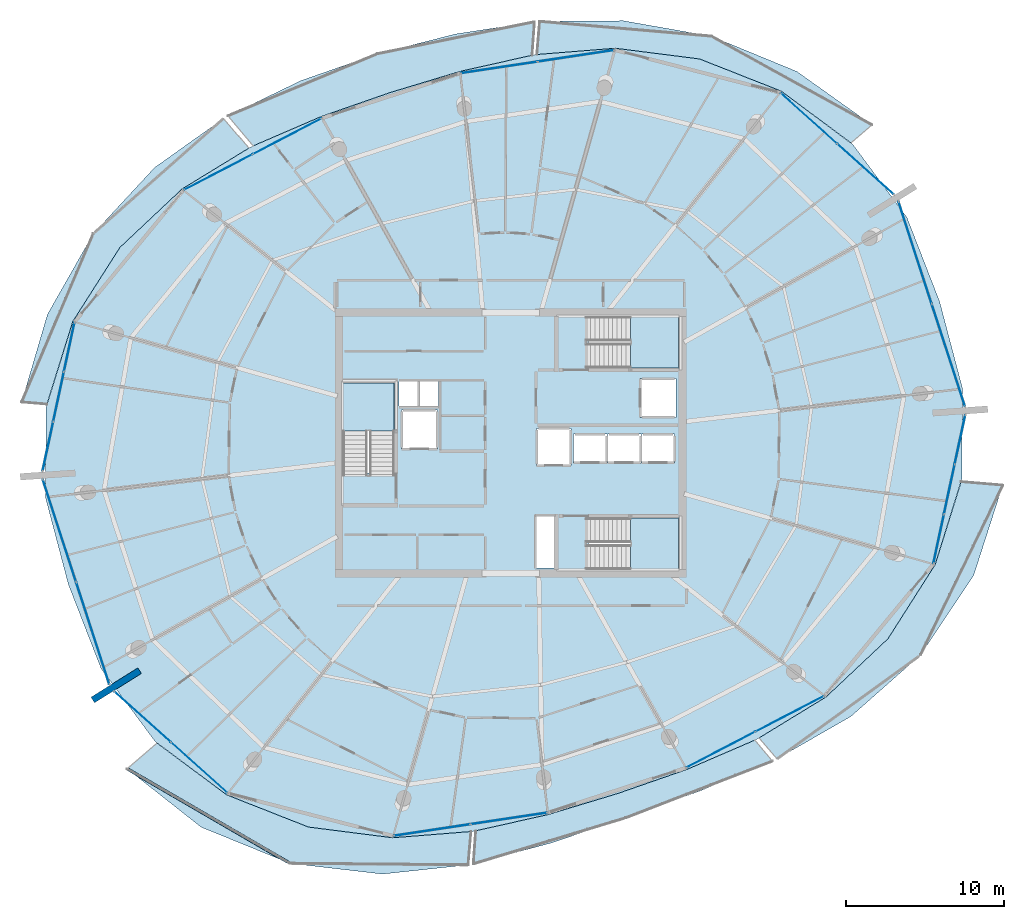
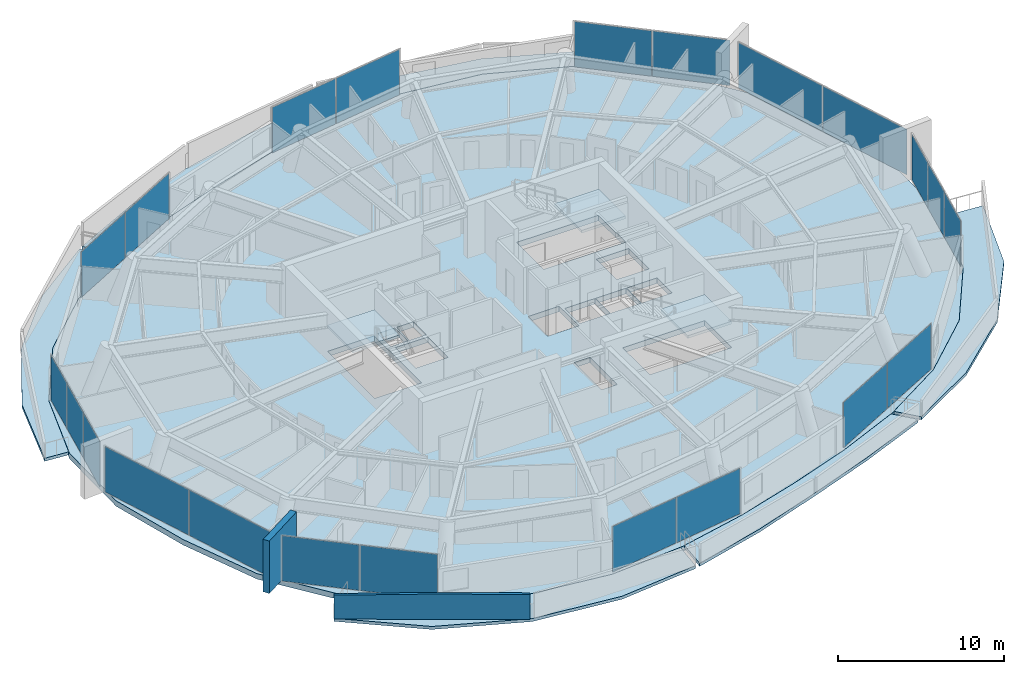
# One storey, part 15 of 27: 22 plates, 10 slabs, 2 walls, 13 elements without a shape of their own.
"""IFC4 building model written with IfcOpenShell, lengths in metres."""

from ifc_helpers import new_model, si_unit, direction, frame, frame_2d, origin, origin_2d, place, context, subcontext, project, spatial, polyline, rectangle, outline, extrude, material, layer, layer_set, type_object, element, aggregate, save


model = new_model("IFC4")

# Units and contexts
model_context = context("Model", 3, precision=1e-05, world=origin(), true_north=direction((0.0, 1.0)))
body_context = subcontext(model_context, "Body", "Model", "MODEL_VIEW")
ifc_project = project(units=[si_unit("LENGTHUNIT", "METRE"), si_unit("AREAUNIT", "SQUARE_METRE"), si_unit("VOLUMEUNIT", "CUBIC_METRE"), si_unit("PLANEANGLEUNIT", "RADIAN"), si_unit("MASSUNIT", "GRAM", prefix="KILO")], contexts=[model_context])

# Site, building, storey
site_placement = place(None, origin())
site = spatial("IfcSite", under=ifc_project, at=site_placement, CompositionType="ELEMENT")
building_placement = place(site_placement, origin())
building = spatial("IfcBuilding", under=site, at=building_placement, Name="Kazma Halo Residences", CompositionType="ELEMENT")
storey_placement = place(building_placement, frame((0.0, 0.0, 306.0)))
storey = spatial("IfcBuildingStorey", under=building, at=storey_placement, Name="L77", CompositionType="ELEMENT", Elevation=306.0)

# Curtain wall, plates
ifc_material_1 = material(Name="Aluminium AW-6063 T6 and Triple-Silver Low-E Glass", Category="aluminium")
ifc_layer_1 = layer(ifc_material_1, 0.139892578125)
ifc_layer_set_1 = layer_set([ifc_layer_1], Name="Aluminium AW-6063 T6 and Triple-Silver Low-E Glass")
curtain_wall_type = type_object("IfcCurtainWallType", Name="CW-SYS-5", PredefinedType="NOTDEFINED", material=ifc_layer_set_1)
curtain_wall_1_placement = place(storey_placement, origin())
curtain_wall_1 = element("IfcCurtainWall", 1, at=curtain_wall_1_placement, inside=storey, type_object=curtain_wall_type, Name="L77 unitised curtain wall B01", PredefinedType="NOTDEFINED")
ifc_material_2 = material(Name="Clear Triple-Silver Low-E Glass IGU", Category="glass")
ifc_layer_2 = layer(ifc_material_2, 0.02587890625)
ifc_layer_set_2 = layer_set([ifc_layer_2], Name="Clear Triple-Silver Low-E Glass IGU")
plate_type = type_object("IfcPlateType", Name="CW-SYS-5-PNL", PredefinedType="CURTAIN_PANEL", material=ifc_layer_set_2)
plate_1_placement = place(storey_placement, frame((70.87841796875, 59.328857421875, 0.06005859375), z_axis=(0.0, 0.0, 1.0), x_axis=(-0.744342494128, 0.667798061868, 0.0)))
plate_1 = element("IfcPlate", 2, at=plate_1_placement, type_object=plate_type, Name="CWS-5 panel 1.1", PredefinedType="CURTAIN_PANEL", context=body_context, shape_type="SweptSolid", body=[
    extrude(rectangle(XDim=4.755615234375, YDim=0.02587890625, at=origin_2d()), origin(), (0.0, 0.0, 1.0), 3.330078125),
])
plate_2_placement = place(storey_placement, frame((67.2939453125, 62.544677734375, 0.06005859375), z_axis=(0.0, 0.0, 1.0), x_axis=(-0.744342494128, 0.667798061868, 0.0)))
plate_2 = element("IfcPlate", 3, at=plate_2_placement, type_object=plate_type, Name="CWS-5 panel 2.1", PredefinedType="CURTAIN_PANEL", context=body_context, shape_type="SweptSolid", body=[
    extrude(rectangle(XDim=4.755615234375, YDim=0.02587890625, at=origin_2d()), origin(), (0.0, 0.0, 1.0), 3.330078125),
])
aggregate(curtain_wall_1, [plate_1, plate_2])

curtain_wall_2_placement = place(storey_placement, origin())
curtain_wall_2 = element("IfcCurtainWall", 4, at=curtain_wall_2_placement, inside=storey, type_object=curtain_wall_type, Name="L77 unitised curtain wall B03", PredefinedType="NOTDEFINED")
plate_3_placement = place(storey_placement, frame((52.55322265625, 66.49951171875, 0.06005859375), z_axis=(0.0, 0.0, 1.0), x_axis=(-0.98887517681, -0.148747721629, 0.0)))
plate_3 = element("IfcPlate", 5, at=plate_3_placement, type_object=plate_type, Name="CWS-5 panel 1.1", PredefinedType="CURTAIN_PANEL", context=body_context, shape_type="SweptSolid", body=[
    extrude(rectangle(XDim=4.856689453125, YDim=0.02587890625, at=origin_2d()), origin(), (0.0, 0.0, 1.0), 3.330078125),
])
plate_4_placement = place(storey_placement, frame((47.69140625, 65.76806640625, 0.06005859375), z_axis=(0.0, 0.0, 1.0), x_axis=(-0.98887517681, -0.148747721629, 0.0)))
plate_4 = element("IfcPlate", 6, at=plate_4_placement, type_object=plate_type, Name="CWS-5 panel 2.1", PredefinedType="CURTAIN_PANEL", context=body_context, shape_type="SweptSolid", body=[
    extrude(rectangle(XDim=4.856689453125, YDim=0.02587890625, at=origin_2d()), origin(), (0.0, 0.0, 1.0), 3.330078125),
])
aggregate(curtain_wall_2, [plate_3, plate_4])

curtain_wall_3_placement = place(storey_placement, origin())
curtain_wall_3 = element("IfcCurtainWall", 7, at=curtain_wall_3_placement, inside=storey, type_object=curtain_wall_type, Name="L77 unitised curtain wall B05", PredefinedType="NOTDEFINED")
plate_5_placement = place(storey_placement, frame((34.279052734375, 61.410400390625, 0.06005859375), z_axis=(0.0, 0.0, 1.0), x_axis=(-0.88744408064, -0.460915397592, 0.0)))
plate_5 = element("IfcPlate", 8, at=plate_5_placement, type_object=plate_type, Name="CWS-5 panel 1.1", PredefinedType="CURTAIN_PANEL", context=body_context, shape_type="SweptSolid", body=[
    extrude(rectangle(XDim=4.856689453125, YDim=0.02587890625, at=origin_2d()), origin(), (0.0, 0.0, 1.0), 3.330078125),
])
plate_6_placement = place(storey_placement, frame((29.915771484375, 59.14404296875, 0.06005859375), z_axis=(0.0, 0.0, 1.0), x_axis=(-0.88744408064, -0.460915397592, 0.0)))
plate_6 = element("IfcPlate", 9, at=plate_6_placement, type_object=plate_type, Name="CWS-5 panel 2.1", PredefinedType="CURTAIN_PANEL", context=body_context, shape_type="SweptSolid", body=[
    extrude(rectangle(XDim=4.856689453125, YDim=0.02587890625, at=origin_2d()), origin(), (0.0, 0.0, 1.0), 3.330078125),
])
aggregate(curtain_wall_3, [plate_5, plate_6])

curtain_wall_4_placement = place(storey_placement, origin())
curtain_wall_4 = element("IfcCurtainWall", 10, at=curtain_wall_4_placement, inside=storey, type_object=curtain_wall_type, Name="L77 unitised curtain wall B07", PredefinedType="NOTDEFINED")
plate_7_placement = place(storey_placement, frame((20.484375, 48.06982421875, 0.06005859375), z_axis=(0.0, 0.0, 1.0), x_axis=(-0.209676367197, -0.977770842805, 0.0)))
plate_7 = element("IfcPlate", 11, at=plate_7_placement, type_object=plate_type, Name="CWS-5 panel 1.1", PredefinedType="CURTAIN_PANEL", context=body_context, shape_type="SweptSolid", body=[
    extrude(rectangle(XDim=3.140380859375, YDim=0.02587890625, at=origin_2d()), origin(), (0.0, 0.0, 1.0), 3.330078125),
])
plate_8_placement = place(storey_placement, frame((19.810302734375, 44.926025390625, 0.06005859375), z_axis=(0.0, 0.0, 1.0), x_axis=(-0.209676367197, -0.977770842805, 0.0)))
plate_8 = element("IfcPlate", 12, at=plate_8_placement, type_object=plate_type, Name="CWS-5 panel 2.1", PredefinedType="CURTAIN_PANEL", context=body_context, shape_type="SweptSolid", body=[
    extrude(rectangle(XDim=3.17041015625, YDim=0.02587890625, at=origin_2d()), origin(), (0.0, 0.0, 1.0), 3.330078125),
])
plate_9_placement = place(storey_placement, frame((19.13623046875, 41.781982421875, 0.06005859375), z_axis=(0.0, 0.0, 1.0), x_axis=(-0.209676367197, -0.977770842805, 0.0)))
plate_9 = element("IfcPlate", 13, at=plate_9_placement, type_object=plate_type, Name="CWS-5 panel 3.1", PredefinedType="CURTAIN_PANEL", context=body_context, shape_type="SweptSolid", body=[
    extrude(rectangle(XDim=3.140380859375, YDim=0.02587890625, at=origin_2d()), origin(), (0.0, 0.0, 1.0), 3.330078125),
])
aggregate(curtain_wall_4, [plate_7, plate_8, plate_9])

curtain_wall_5_placement = place(storey_placement, origin())
curtain_wall_5 = element("IfcCurtainWall", 14, at=curtain_wall_5_placement, inside=storey, type_object=curtain_wall_type, Name="L77 unitised curtain wall B08", PredefinedType="NOTDEFINED")
plate_10_placement = place(storey_placement, frame((19.86669921875, 36.450439453125, 0.06005859375), z_axis=(0.0, 0.0, 1.0), x_axis=(0.309015550455, -0.951056985452, 0.0)))
plate_10 = element("IfcPlate", 15, at=plate_10_placement, type_object=plate_type, Name="CWS-5 panel 1.1", PredefinedType="CURTAIN_PANEL", context=body_context, shape_type="SweptSolid", body=[
    extrude(rectangle(XDim=6.771728515625, YDim=0.02587890625, at=origin_2d()), origin(), (0.0, 0.0, 1.0), 3.330078125),
])
plate_11_placement = place(storey_placement, frame((21.977783203125, 29.953369140625, 0.06005859375), z_axis=(0.0, 0.0, 1.0), x_axis=(0.309015550455, -0.951056985452, 0.0)))
plate_11 = element("IfcPlate", 16, at=plate_11_placement, type_object=plate_type, Name="CWS-5 panel 2.1", PredefinedType="CURTAIN_PANEL", context=body_context, shape_type="SweptSolid", body=[
    extrude(rectangle(XDim=6.771728515625, YDim=0.02587890625, at=origin_2d()), origin(), (0.0, 0.0, 1.0), 3.330078125),
])
aggregate(curtain_wall_5, [plate_10, plate_11])

curtain_wall_6_placement = place(storey_placement, origin())
curtain_wall_6 = element("IfcCurtainWall", 17, at=curtain_wall_6_placement, inside=storey, type_object=curtain_wall_type, Name="L77 unitised curtain wall B09", PredefinedType="NOTDEFINED")
plate_12_placement = place(storey_placement, frame((25.12158203125, 24.671142578125, 0.06005859375), z_axis=(0.0, 0.0, 1.0), x_axis=(0.744342494128, -0.667798061868, 0.0)))
plate_12 = element("IfcPlate", 18, at=plate_12_placement, type_object=plate_type, Name="CWS-5 panel 1.1", PredefinedType="CURTAIN_PANEL", context=body_context, shape_type="SweptSolid", body=[
    extrude(rectangle(XDim=4.755615234375, YDim=0.02587890625, at=origin_2d()), origin(), (0.0, 0.0, 1.0), 3.330078125),
])
plate_13_placement = place(storey_placement, frame((28.7060546875, 21.455322265625, 0.06005859375), z_axis=(0.0, 0.0, 1.0), x_axis=(0.744342494128, -0.667798061868, 0.0)))
plate_13 = element("IfcPlate", 19, at=plate_13_placement, type_object=plate_type, Name="CWS-5 panel 2.1", PredefinedType="CURTAIN_PANEL", context=body_context, shape_type="SweptSolid", body=[
    extrude(rectangle(XDim=4.755615234375, YDim=0.02587890625, at=origin_2d()), origin(), (0.0, 0.0, 1.0), 3.330078125),
])
aggregate(curtain_wall_6, [plate_12, plate_13])

curtain_wall_7_placement = place(storey_placement, origin())
curtain_wall_7 = element("IfcCurtainWall", 20, at=curtain_wall_7_placement, inside=storey, type_object=curtain_wall_type, Name="L77 unitised curtain wall B11", PredefinedType="NOTDEFINED")
plate_14_placement = place(storey_placement, frame((43.44677734375, 17.50048828125, 0.06005859375), z_axis=(0.0, 0.0, 1.0), x_axis=(0.98887517681, 0.148747721629, 0.0)))
plate_14 = element("IfcPlate", 21, at=plate_14_placement, type_object=plate_type, Name="CWS-5 panel 1.1", PredefinedType="CURTAIN_PANEL", context=body_context, shape_type="SweptSolid", body=[
    extrude(rectangle(XDim=4.856689453125, YDim=0.02587890625, at=origin_2d()), origin(), (0.0, 0.0, 1.0), 3.330078125),
])
plate_15_placement = place(storey_placement, frame((48.30859375, 18.23193359375, 0.06005859375), z_axis=(0.0, 0.0, 1.0), x_axis=(0.98887517681, 0.148747721629, 0.0)))
plate_15 = element("IfcPlate", 22, at=plate_15_placement, type_object=plate_type, Name="CWS-5 panel 2.1", PredefinedType="CURTAIN_PANEL", context=body_context, shape_type="SweptSolid", body=[
    extrude(rectangle(XDim=4.856689453125, YDim=0.02587890625, at=origin_2d()), origin(), (0.0, 0.0, 1.0), 3.330078125),
])
aggregate(curtain_wall_7, [plate_14, plate_15])

curtain_wall_8_placement = place(storey_placement, origin())
curtain_wall_8 = element("IfcCurtainWall", 23, at=curtain_wall_8_placement, inside=storey, type_object=curtain_wall_type, Name="L77 unitised curtain wall B13", PredefinedType="NOTDEFINED")
plate_16_placement = place(storey_placement, frame((61.720947265625, 22.589599609375, 0.06005859375), z_axis=(0.0, 0.0, 1.0), x_axis=(0.88744408064, 0.460915397592, 0.0)))
plate_16 = element("IfcPlate", 24, at=plate_16_placement, type_object=plate_type, Name="CWS-5 panel 1.1", PredefinedType="CURTAIN_PANEL", context=body_context, shape_type="SweptSolid", body=[
    extrude(rectangle(XDim=4.856689453125, YDim=0.02587890625, at=origin_2d()), origin(), (0.0, 0.0, 1.0), 3.330078125),
])
plate_17_placement = place(storey_placement, frame((66.084228515625, 24.85595703125, 0.06005859375), z_axis=(0.0, 0.0, 1.0), x_axis=(0.88744408064, 0.460915397592, 0.0)))
plate_17 = element("IfcPlate", 25, at=plate_17_placement, type_object=plate_type, Name="CWS-5 panel 2.1", PredefinedType="CURTAIN_PANEL", context=body_context, shape_type="SweptSolid", body=[
    extrude(rectangle(XDim=4.856689453125, YDim=0.02587890625, at=origin_2d()), origin(), (0.0, 0.0, 1.0), 3.330078125),
])
aggregate(curtain_wall_8, [plate_16, plate_17])

curtain_wall_9_placement = place(storey_placement, origin())
curtain_wall_9 = element("IfcCurtainWall", 26, at=curtain_wall_9_placement, inside=storey, type_object=curtain_wall_type, Name="L77 unitised curtain wall B15", PredefinedType="NOTDEFINED")
plate_18_placement = place(storey_placement, frame((75.515625, 35.93017578125, 0.06005859375), z_axis=(0.0, 0.0, 1.0), x_axis=(0.209676367197, 0.977770842805, 0.0)))
plate_18 = element("IfcPlate", 27, at=plate_18_placement, type_object=plate_type, Name="CWS-5 panel 1.1", PredefinedType="CURTAIN_PANEL", context=body_context, shape_type="SweptSolid", body=[
    extrude(rectangle(XDim=3.140380859375, YDim=0.02587890625, at=origin_2d()), origin(), (0.0, 0.0, 1.0), 3.330078125),
])
plate_19_placement = place(storey_placement, frame((76.189697265625, 39.073974609375, 0.06005859375), z_axis=(0.0, 0.0, 1.0), x_axis=(0.209676367197, 0.977770842805, 0.0)))
plate_19 = element("IfcPlate", 28, at=plate_19_placement, type_object=plate_type, Name="CWS-5 panel 2.1", PredefinedType="CURTAIN_PANEL", context=body_context, shape_type="SweptSolid", body=[
    extrude(rectangle(XDim=3.17041015625, YDim=0.02587890625, at=origin_2d()), origin(), (0.0, 0.0, 1.0), 3.330078125),
])
plate_20_placement = place(storey_placement, frame((76.86376953125, 42.218017578125, 0.06005859375), z_axis=(0.0, 0.0, 1.0), x_axis=(0.209676367197, 0.977770842805, 0.0)))
plate_20 = element("IfcPlate", 29, at=plate_20_placement, type_object=plate_type, Name="CWS-5 panel 3.1", PredefinedType="CURTAIN_PANEL", context=body_context, shape_type="SweptSolid", body=[
    extrude(rectangle(XDim=3.140380859375, YDim=0.02587890625, at=origin_2d()), origin(), (0.0, 0.0, 1.0), 3.330078125),
])
aggregate(curtain_wall_9, [plate_18, plate_19, plate_20])

curtain_wall_10_placement = place(storey_placement, origin())
curtain_wall_10 = element("IfcCurtainWall", 30, at=curtain_wall_10_placement, inside=storey, type_object=curtain_wall_type, Name="L77 unitised curtain wall B16", PredefinedType="NOTDEFINED")
plate_21_placement = place(storey_placement, frame((76.13330078125, 47.549560546875, 0.06005859375), z_axis=(0.0, 0.0, 1.0), x_axis=(-0.309015550455, 0.951056985452, 0.0)))
plate_21 = element("IfcPlate", 31, at=plate_21_placement, type_object=plate_type, Name="CWS-5 panel 1.1", PredefinedType="CURTAIN_PANEL", context=body_context, shape_type="SweptSolid", body=[
    extrude(rectangle(XDim=6.771728515625, YDim=0.02587890625, at=origin_2d()), origin(), (0.0, 0.0, 1.0), 3.330078125),
])
plate_22_placement = place(storey_placement, frame((74.022216796875, 54.046630859375, 0.06005859375), z_axis=(0.0, 0.0, 1.0), x_axis=(-0.309015550455, 0.951056985452, 0.0)))
plate_22 = element("IfcPlate", 32, at=plate_22_placement, type_object=plate_type, Name="CWS-5 panel 2.1", PredefinedType="CURTAIN_PANEL", context=body_context, shape_type="SweptSolid", body=[
    extrude(rectangle(XDim=6.771728515625, YDim=0.02587890625, at=origin_2d()), origin(), (0.0, 0.0, 1.0), 3.330078125),
])
aggregate(curtain_wall_10, [plate_21, plate_22])

# Slabs
ifc_material_3 = material(Name="White Concrete C50/60", Category="concrete")
ifc_layer_3 = layer(ifc_material_3, 0.219970703125)
ifc_layer_set_3 = layer_set([ifc_layer_3], Name="White Concrete C50/60")
slab_type_1 = type_object("IfcSlabType", Name="SLB-BAL-WAVE-210", PredefinedType="FLOOR", material=ifc_layer_set_3)
slab_1_placement = place(storey_placement, frame((0.0, 0.0, -0.219970703125)))
element("IfcSlab", 33, at=slab_1_placement, inside=storey, type_object=slab_type_1, Name="L77 NE cantilevered wave balcony slab", PredefinedType="FLOOR", context=body_context, shape_type="SweptSolid", body=[
    extrude(outline(polyline([(69.9658203125, 60.993896484375), (65.554931640625, 64.268310546875), (60.385009765625, 66.306640625), (55.047119140625, 66.987060546875), (50.086669921875, 66.591552734375), (50.26416015625, 68.68408203125), (55.5380859375, 68.728271484375), (61.119140625, 67.747802734375), (66.5380859375, 65.515380859375), (71.2861328125, 62.135498046875), (69.9658203125, 60.993896484375)])), origin(), (0.0, 0.0, 1.0), 0.219970703125),
])
slab_2_placement = place(storey_placement, frame((0.0, 0.0, -0.219970703125)))
element("IfcSlab", 34, at=slab_2_placement, inside=storey, type_object=slab_type_1, Name="L77 NNW cantilevered wave balcony slab", PredefinedType="FLOOR", context=body_context, shape_type="SweptSolid", body=[
    extrude(outline(polyline([(49.781005859375, 66.545654296875), (45.21630859375, 65.519287109375), (40.79248046875, 64.182373046875), (36.427734375, 62.66357421875), (32.131591796875, 60.81103515625), (30.532958984375, 62.706298828125), (35.153564453125, 64.939208984375), (39.99560546875, 66.634765625), (44.935791015625, 67.8896484375), (49.93408203125, 68.65478515625), (49.781005859375, 66.545654296875)])), origin(), (0.0, 0.0, 1.0), 0.219970703125),
])
slab_3_placement = place(storey_placement, frame((0.0, 0.0, -0.219970703125)))
element("IfcSlab", 35, at=slab_3_placement, inside=storey, type_object=slab_type_1, Name="L77 NW cantilevered wave balcony slab", PredefinedType="FLOOR", context=body_context, shape_type="SweptSolid", body=[
    extrude(outline(polyline([(31.857421875, 60.66845703125), (27.61181640625, 58.07275390625), (23.693359375, 54.385009765625), (20.708984375, 49.697021484375), (19.06494140625, 44.455078125), (17.470947265625, 44.59033203125), (19.105712890625, 50.14892578125), (22.001220703125, 55.2470703125), (25.884521484375, 59.434326171875), (30.241455078125, 62.537109375), (31.857421875, 60.66845703125)])), origin(), (0.0, 0.0, 1.0), 0.219970703125),
])
slab_4_placement = place(storey_placement, frame((0.0, 0.0, -0.219970703125)))
element("IfcSlab", 36, at=slab_4_placement, inside=storey, type_object=slab_type_1, Name="L77 SW cantilevered wave balcony slab", PredefinedType="FLOOR", context=body_context, shape_type="SweptSolid", body=[
    extrude(outline(polyline([(26.0341796875, 23.006103515625), (30.445068359375, 19.731689453125), (35.614990234375, 17.693359375), (40.952880859375, 17.012939453125), (45.913330078125, 17.408447265625), (45.734130859375, 15.297119140625), (40.304931640625, 14.7158203125), (34.444580078125, 15.39599609375), (28.83056640625, 17.68359375), (24.147705078125, 21.374755859375), (26.0341796875, 23.006103515625)])), origin(), (0.0, 0.0, 1.0), 0.219970703125),
])
slab_5_placement = place(storey_placement, frame((0.0, 0.0, -0.219970703125)))
element("IfcSlab", 37, at=slab_5_placement, inside=storey, type_object=slab_type_1, Name="L77 SSE cantilevered wave balcony slab", PredefinedType="FLOOR", context=body_context, shape_type="SweptSolid", body=[
    extrude(outline(polyline([(46.218994140625, 17.454345703125), (50.78369140625, 18.480712890625), (55.20751953125, 19.817626953125), (59.572265625, 21.33642578125), (63.868408203125, 23.18896484375), (64.984375, 21.8662109375), (60.34814453125, 19.95068359375), (55.70751953125, 18.279052734375), (50.996337890625, 16.68408203125), (46.0673828125, 15.364501953125), (46.218994140625, 17.454345703125)])), origin(), (0.0, 0.0, 1.0), 0.219970703125),
])
slab_6_placement = place(storey_placement, frame((0.0, 0.0, -0.219970703125)))
element("IfcSlab", 38, at=slab_6_placement, inside=storey, type_object=slab_type_1, Name="L77 SE cantilevered wave balcony slab", PredefinedType="FLOOR", context=body_context, shape_type="SweptSolid", body=[
    extrude(outline(polyline([(64.142578125, 23.33154296875), (68.38818359375, 25.92724609375), (72.306640625, 29.614990234375), (75.291015625, 34.302978515625), (76.93505859375, 39.544921875), (79.565185546875, 39.32177734375), (77.7265625, 33.6162109375), (74.353271484375, 28.572265625), (69.9560546875, 24.691162109375), (65.286376953125, 22.0087890625), (64.142578125, 23.33154296875)])), origin(), (0.0, 0.0, 1.0), 0.219970703125),
])

# Stair, slab
ifc_material_4 = material(Name="Concrete C50/60", Category="concrete")
stair_type = type_object("IfcStairType", Name="STR-RES2", PredefinedType="HALF_TURN_STAIR", material=ifc_material_4)
stair_1_placement = place(storey_placement, origin())
stair_1 = element("IfcStair", 39, at=stair_1_placement, inside=storey, type_object=stair_type, Name="L77 Core exit stair ST-01", PredefinedType="HALF_TURN_STAIR")
ifc_layer_4 = layer(ifc_material_4, 0.199951171875)
ifc_layer_set_4 = layer_set([ifc_layer_4], Name="Concrete C50/60")
slab_type_2 = type_object("IfcSlabType", Name="SLB-STAIR-LND-200", PredefinedType="LANDING", material=ifc_layer_set_4)
slab_7_placement = place(storey_placement, frame((0.0, 0.0, 1.72509765625)))
slab_7 = element("IfcSlab", 40, at=slab_7_placement, type_object=slab_type_2, Name="ST-01 landing 1", PredefinedType="LANDING", context=body_context, shape_type="SweptSolid", body=[
    extrude(outline(polyline([(41.050048828125, 42.75), (41.050048828125, 45.800048828125), (37.800048828125, 45.800048828125), (37.800048828125, 42.75), (41.050048828125, 42.75)])), origin(), (0.0, 0.0, 1.0), 0.199951171875),
])
aggregate(stair_1, [slab_7])

stair_2_placement = place(storey_placement, origin())
stair_2 = element("IfcStair", 41, at=stair_2_placement, inside=storey, type_object=stair_type, Name="L77 Core exit stair ST-02", PredefinedType="HALF_TURN_STAIR")
slab_8_placement = place(storey_placement, frame((0.0, 0.0, 1.72509765625)))
slab_8 = element("IfcSlab", 42, at=slab_8_placement, type_object=slab_type_2, Name="ST-02 landing 1", PredefinedType="LANDING", context=body_context, shape_type="SweptSolid", body=[
    extrude(outline(polyline([(56.0, 46.75), (59.050048828125, 46.75), (59.050048828125, 50.0), (56.0, 50.0), (56.0, 46.75)])), origin(), (0.0, 0.0, 1.0), 0.199951171875),
])
aggregate(stair_2, [slab_8])

stair_3_placement = place(storey_placement, origin())
stair_3 = element("IfcStair", 43, at=stair_3_placement, inside=storey, type_object=stair_type, Name="L77 Core exit stair ST-03", PredefinedType="HALF_TURN_STAIR")
slab_9_placement = place(storey_placement, frame((0.0, 0.0, 1.72509765625)))
slab_9 = element("IfcSlab", 44, at=slab_9_placement, type_object=slab_type_2, Name="ST-03 landing 1", PredefinedType="LANDING", context=body_context, shape_type="SweptSolid", body=[
    extrude(outline(polyline([(56.0, 34.0), (59.050048828125, 34.0), (59.050048828125, 37.25), (56.0, 37.25), (56.0, 34.0)])), origin(), (0.0, 0.0, 1.0), 0.199951171875),
])
aggregate(stair_3, [slab_9])

# Slab
ifc_material_5 = material(Name="Concrete C60/75", Category="concrete")
ifc_layer_5 = layer(ifc_material_5, 0.39990234375)
ifc_layer_set_5 = layer_set([ifc_layer_5], Name="Concrete C60/75")
slab_type_3 = type_object("IfcSlabType", Name="SLB-TRANS-400", PredefinedType="FLOOR", material=ifc_layer_set_5)
slab_10_placement = place(storey_placement, frame((0.0, 0.0, -0.39990234375)))
element("IfcSlab", 45, at=slab_10_placement, inside=storey, type_object=slab_type_3, Name="L77 structural floor slab", PredefinedType="FLOOR", context=body_context, shape_type="SweptSolid", body=[
    extrude(outline(polyline([(75.5703125, 50.958251953125), (73.502197265625, 56.281982421875), (70.099365234375, 60.874755859375), (65.5537109375, 64.2666015625), (60.384033203125, 66.304931640625), (55.04638671875, 66.985107421875), (49.93408203125, 66.576171875), (45.216552734375, 65.51708984375), (40.793212890625, 64.180419921875), (36.4287109375, 62.661865234375), (31.98974609375, 60.74560546875), (27.61328125, 58.071533203125), (23.695068359375, 54.384033203125), (20.710693359375, 49.6962890625), (19.02685546875, 44.2802734375), (18.973388671875, 38.564453125), (20.4296875, 33.041748046875), (22.497802734375, 27.718017578125), (25.900634765625, 23.125244140625), (30.4462890625, 19.7333984375), (35.615966796875, 17.695068359375), (40.95361328125, 17.014892578125), (46.06591796875, 17.423828125), (50.783447265625, 18.48291015625), (55.206787109375, 19.819580078125), (59.5712890625, 21.338134765625), (64.01025390625, 23.25439453125), (68.38671875, 25.928466796875), (72.304931640625, 29.615966796875), (75.289306640625, 34.3037109375), (76.97314453125, 39.7197265625), (77.026611328125, 45.435546875), (75.5703125, 50.958251953125)]), holes=[polyline([(37.800048828125, 40.110107421875), (41.050048828125, 40.110107421875), (41.050048828125, 45.800048828125), (37.800048828125, 45.800048828125), (37.800048828125, 40.110107421875)]), polyline([(53.360107421875, 46.75), (59.050048828125, 46.75), (59.050048828125, 50.0), (53.360107421875, 50.0), (53.360107421875, 46.75)]), polyline([(53.360107421875, 34.0), (59.050048828125, 34.0), (59.050048828125, 37.25), (53.360107421875, 37.25), (53.360107421875, 34.0)]), polyline([(41.52001953125, 41.6201171875), (43.780029296875, 41.6201171875), (43.780029296875, 44.080078125), (41.52001953125, 44.080078125), (41.52001953125, 41.6201171875)]), polyline([(56.6201171875, 43.6201171875), (58.8798828125, 43.6201171875), (58.8798828125, 46.080078125), (56.6201171875, 46.080078125), (56.6201171875, 43.6201171875)]), polyline([(52.39501953125, 40.7451171875), (54.5048828125, 40.7451171875), (54.5048828125, 42.554931640625), (52.39501953125, 42.554931640625), (52.39501953125, 40.7451171875)]), polyline([(54.544921875, 40.7451171875), (56.655029296875, 40.7451171875), (56.655029296875, 42.554931640625), (54.544921875, 42.554931640625), (54.544921875, 40.7451171875)]), polyline([(56.695068359375, 40.7451171875), (58.804931640625, 40.7451171875), (58.804931640625, 42.554931640625), (56.695068359375, 42.554931640625), (56.695068359375, 40.7451171875)]), polyline([(50.070068359375, 40.570068359375), (52.22998046875, 40.570068359375), (52.22998046875, 42.929931640625), (50.070068359375, 42.929931640625), (50.070068359375, 40.570068359375)]), polyline([(41.360107421875, 44.340087890625), (42.5400390625, 44.340087890625), (42.5400390625, 45.89990234375), (41.360107421875, 45.89990234375), (41.360107421875, 44.340087890625)]), polyline([(42.659912109375, 44.340087890625), (43.840087890625, 44.340087890625), (43.840087890625, 45.89990234375), (42.659912109375, 45.89990234375), (42.659912109375, 44.340087890625)]), polyline([(50.06005859375, 34.080078125), (51.159912109375, 34.080078125), (51.159912109375, 37.3798828125), (50.06005859375, 37.3798828125), (50.06005859375, 34.080078125)])]), origin(), (0.0, 0.0, 1.0), 0.39990234375),
])

# Walls
ifc_material_6 = material(Name="White Concrete C50/60 Balustrade", Category="concrete")
ifc_layer_6 = layer(ifc_material_6, 0.179931640625)
ifc_layer_set_6 = layer_set([ifc_layer_6], Name="White Concrete C50/60 Balustrade")
wall_type_1 = type_object("IfcWallType", Name="WL-BAL-WAVE-180", PredefinedType="PARAPET", material=ifc_layer_set_6)
wall_1_placement = place(storey_placement, frame((24.147705078125, 21.374755859375, 0.0), z_axis=(0.0, 0.0, 1.0), x_axis=(0.864793588892, -0.502127522261, 0.0)))
element("IfcWall", 46, at=wall_1_placement, inside=storey, type_object=wall_type_1, Name="L77 white wave balustrade wall SW.1", PredefinedType="PARAPET", context=body_context, shape_type="SweptSolid", body=[
    extrude(outline(polyline([(0.0, 0.0), (11.786865234375, 0.0), (11.786865234375, 1.83203125), (5.893310546875, 1.85302734375), (0.0, 1.756103515625), (0.0, 0.0)])), frame((0.0, 0.08984375, 0.0), z_axis=(0.0, -1.0, 0.0), x_axis=(1.0, 0.0, 0.0)), (0.0, 0.0, 1.0), 0.179931640625),
])
ifc_material_7 = material(Name="Pale Concrete C60/75", Category="concrete")
ifc_layer_7 = layer(ifc_material_7, 0.419921875)
ifc_layer_set_7 = layer_set([ifc_layer_7], Name="Pale Concrete C60/75")
wall_type_2 = type_object("IfcWallType", Name="WL-BLADE-420", PredefinedType="SOLIDWALL", material=ifc_layer_set_7)
wall_2_placement = place(storey_placement, frame((24.93798828125, 27.589111328125, 0.0), z_axis=(0.0, 0.0, 1.0), x_axis=(-0.848084507158, -0.529860989996, 0.0)))
element("IfcWall", 47, at=wall_2_placement, inside=storey, type_object=wall_type_2, Name="L77 pale concrete structural blade fin wall BW-03", PredefinedType="SOLIDWALL", context=body_context, shape_type="SweptSolid", body=[
    extrude(rectangle(XDim=3.5, YDim=0.419921875, at=frame_2d((1.75, 0.0))), origin(), (0.0, 0.0, 1.0), 3.85009765625),
])

save(model, "model.ifc")
